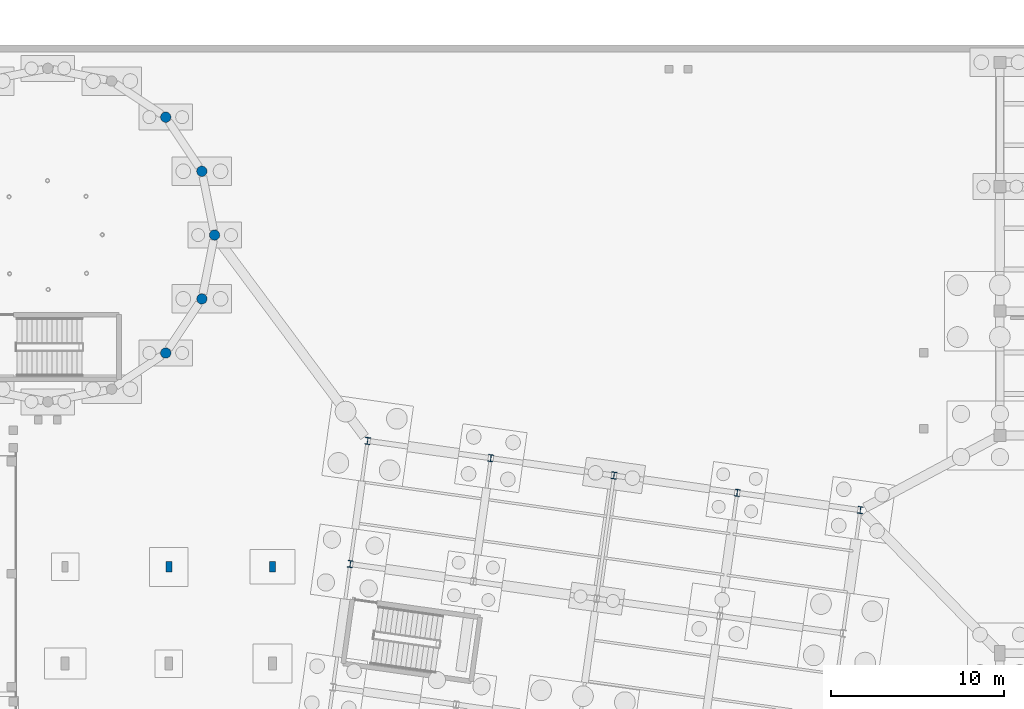
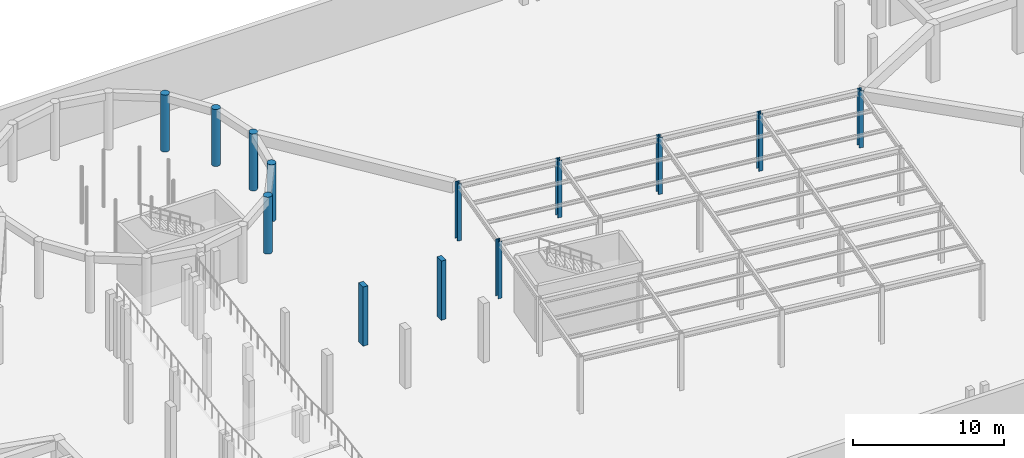
# One storey, part 15 of 34: 13 columns.
"""IFC4 building model written with IfcOpenShell, lengths in metres."""

from ifc_helpers import new_model, si_unit, direction, frame, origin, origin_2d, place, context, subcontext, project, spatial, rectangle, circle, i_section, extrude, material, material_profile, profile_set, type_object, element, save


model = new_model("IFC4")

# Units and contexts
model_context = context("Model", 3, precision=1e-05, world=origin(), true_north=direction((0.0, 1.0)))
body_context = subcontext(model_context, "Body", "Model", "MODEL_VIEW")
ifc_project = project(units=[si_unit("LENGTHUNIT", "METRE"), si_unit("AREAUNIT", "SQUARE_METRE"), si_unit("VOLUMEUNIT", "CUBIC_METRE"), si_unit("PLANEANGLEUNIT", "RADIAN"), si_unit("MASSUNIT", "GRAM", prefix="KILO")], contexts=[model_context])

# Site, building, storey
site_placement = place(None, origin())
site = spatial("IfcSite", under=ifc_project, at=site_placement, CompositionType="ELEMENT")
building_placement = place(site_placement, origin())
building = spatial("IfcBuilding", under=site, at=building_placement, Name="Kharisveld Research Institute", CompositionType="ELEMENT")
storey_placement = place(building_placement, frame((0.0, 0.0, -4.800048828125)))
storey = spatial("IfcBuildingStorey", under=building, at=storey_placement, Name="B1", CompositionType="ELEMENT", Elevation=-4.800048828125)

# Columns
ifc_material_1 = material(Name="Concrete C40/50", Category="concrete")
ifc_material_profile_1 = material_profile(ifc_material_1, circle(Radius=0.300048828125, at=origin_2d()))
ifc_profile_set_1 = profile_set([ifc_material_profile_1], Name="Concrete C40/50")
column_type_1 = type_object("IfcColumnType", Name="COL_RC_D600", PredefinedType="COLUMN", material=ifc_profile_set_1)
for number, where, z_axis, x_axis, name in (
    (1, (69.14990234375, 50.800048828125, 0.0), (0.0, 0.0, 1.0), (1.0, 0.0, 0.0), "COL:V6:B1:R00"),
    (2, (68.41552734375, 54.492919921875, 0.0), (0.0, 0.0, 1.0), (1.0, 0.0, 0.0), "COL:V6:B1:R01"),
    (3, (66.323486328125, 57.62353515625, 0.0), (0.0, 0.0, 1.0), (1.0, 0.0, 0.0), "COL:V6:B1:R02"),
    (4, (66.323486328125, 43.976318359375, 0.0), (0.0, 0.0, 1.0), (1.0, 0.0, 0.0), "COL:V6:B1:R14"),
    (5, (68.41552734375, 47.107177734375, 0.0), (0.0, 0.0, 1.0), (1.0, 0.0, 0.0), "COL:V6:B1:R15"),
):
    element("IfcColumn", number, at=place(storey_placement, frame(where, z_axis=z_axis, x_axis=x_axis)), inside=storey, type_object=column_type_1, Name=name, PredefinedType="COLUMN", context=body_context, shape_type="SweptSolid", body=[
        extrude(circle(Radius=0.300048828125, at=origin_2d()), origin(), (0.0, 0.0, 1.0), 4.6201171875),
    ])
ifc_material_2 = material(Name="Steel S355JR", Category="steel")
ifc_material_profile_2 = material_profile(ifc_material_2, i_section(OverallWidth=0.300048828125, OverallDepth=0.39990234375, WebThickness=0.013427734375, FlangeThickness=0.02392578125, at=origin_2d()))
ifc_profile_set_2 = profile_set([ifc_material_profile_2], Name="Steel S355JR")
column_type_2 = type_object("IfcColumnType", Name="COL_ST_HEB400", PredefinedType="COLUMN", material=ifc_profile_set_2)
for number, where, z_axis, x_axis, name in (
    (6, (77.004150390625, 31.759765625, 0.0), (0.0, 0.0, 1.0), (0.990268068742, -0.13917310096, 0.0), "COL:V4:B1:U0V2"),
    (7, (78.006103515625, 38.889892578125, 0.0), (0.0, 0.0, 1.0), (0.990268068742, -0.13917310096, 0.0), "COL:V4:B1:U0V3"),
    (8, (85.135986328125, 37.8876953125, 0.0), (0.0, 0.0, 1.0), (0.990268068742, -0.13917310096, 0.0), "COL:V4:B1:U1V3"),
    (9, (92.26611328125, 36.8857421875, 0.0), (0.0, 0.0, 1.0), (0.990268068742, -0.13917310096, 0.0), "COL:V4:B1:U2V3"),
    (10, (99.39599609375, 35.883544921875, 0.0), (0.0, 0.0, 1.0), (0.990268068742, -0.13917310096, 0.0), "COL:V4:B1:U3V3"),
    (11, (106.52587890625, 34.881591796875, 0.0), (0.0, 0.0, 1.0), (0.990268068742, -0.13917310096, 0.0), "COL:V4:B1:U4V3"),
):
    element("IfcColumn", number, at=place(storey_placement, frame(where, z_axis=z_axis, x_axis=x_axis)), inside=storey, type_object=column_type_2, Name=name, PredefinedType="COLUMN", context=body_context, shape_type="SweptSolid", body=[
        extrude(i_section(OverallWidth=0.300048828125, OverallDepth=0.39990234375, WebThickness=0.013427734375, FlangeThickness=0.02392578125, at=origin_2d()), origin(), (0.0, 0.0, 1.0), 4.610107421875),
    ])
ifc_material_3 = material(Name="Concrete C40/50", Category="concrete")
ifc_material_profile_3 = material_profile(ifc_material_3, rectangle(XDim=0.35009765625, YDim=0.60009765625, at=origin_2d()))
ifc_profile_set_3 = profile_set([ifc_material_profile_3], Name="Concrete C40/50")
column_type_3 = type_object("IfcColumnType", Name="PIL_RC_350x600", PredefinedType="PILASTER", material=ifc_profile_set_3)
for number, where, z_axis, x_axis, name in (
    (12, (66.5, 31.60009765625, 0.0), (0.0, 0.0, 1.0), (1.0, 0.0, 0.0), "PIL:ARC:B1:4_2"),
    (13, (72.5, 31.60009765625, 0.0), (0.0, 0.0, 1.0), (1.0, 0.0, 0.0), "PIL:ARC:B1:5_2"),
):
    element("IfcColumn", number, at=place(storey_placement, frame(where, z_axis=z_axis, x_axis=x_axis)), inside=storey, type_object=column_type_3, Name=name, PredefinedType="PILASTER", context=body_context, shape_type="SweptSolid", body=[
        extrude(rectangle(XDim=0.35009765625, YDim=0.60009765625, at=origin_2d()), origin(), (0.0, 0.0, 1.0), 4.800048828125),
    ])

save(model, "model.ifc")
